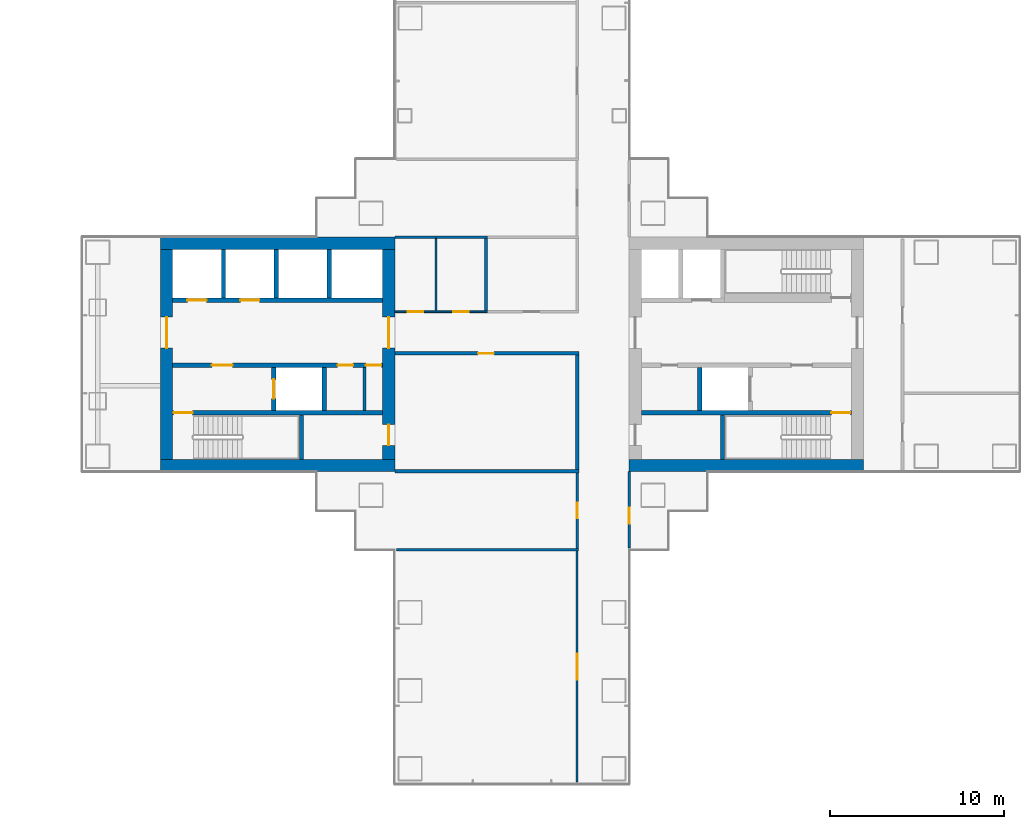
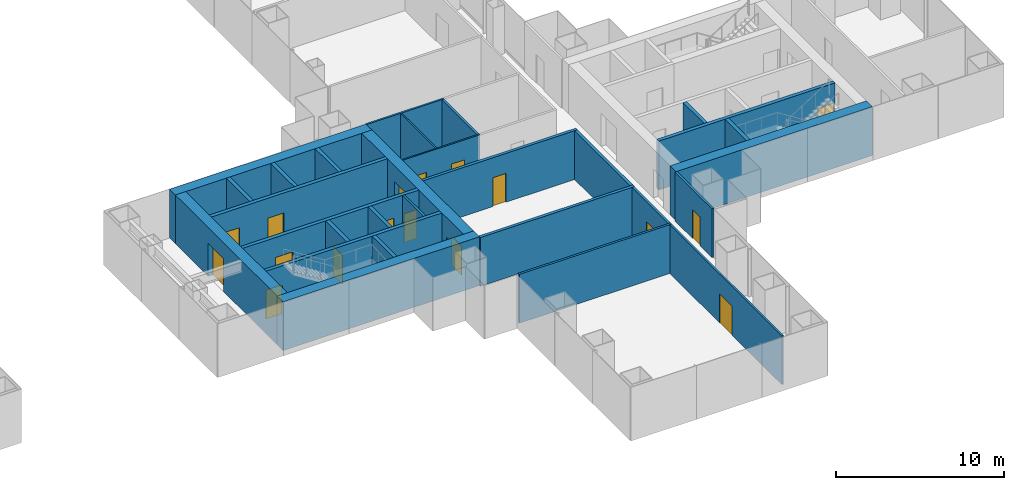
# One storey, part 16 of 21: 29 walls, 17 doors, 17 openings.
"""IFC4 building model written with IfcOpenShell, lengths in metres."""

from ifc_helpers import new_model, si_unit, direction, frame, frame_2d, origin, place, context, subcontext, project, spatial, rectangle, extrude, material, layer, layer_set, type_object, element, fill, save


model = new_model("IFC4")

# Units and contexts
model_context = context("Model", 3, precision=1e-05, world=origin(), true_north=direction((0.0, 1.0)))
body_context = subcontext(model_context, "Body", "Model", "MODEL_VIEW")
ifc_project = project(units=[si_unit("LENGTHUNIT", "METRE"), si_unit("AREAUNIT", "SQUARE_METRE"), si_unit("VOLUMEUNIT", "CUBIC_METRE"), si_unit("PLANEANGLEUNIT", "RADIAN"), si_unit("MASSUNIT", "GRAM", prefix="KILO")], contexts=[model_context])

# Site, building, storey
site_placement = place(None, origin())
site = spatial("IfcSite", under=ifc_project, at=site_placement, CompositionType="ELEMENT")
building_placement = place(site_placement, origin())
building = spatial("IfcBuilding", under=site, at=building_placement, Name="Shamsa Quay Exchange Towers", CompositionType="ELEMENT")
storey_placement = place(building_placement, frame((0.0, 0.0, 65.39990234375)))
storey = spatial("IfcBuildingStorey", under=building, at=storey_placement, Name="L14", CompositionType="ELEMENT", Elevation=65.39990234375)

# Walls
ifc_material_1 = material(Name="Concrete C80/95", Category="concrete")
ifc_layer_1 = layer(ifc_material_1, 0.699951171875)
ifc_layer_set_1 = layer_set([ifc_layer_1], Name="CORE WALL 700 C80/95")
wall_type_1 = type_object("IfcWallType", Name="CORE WALL 700 C80/95", PredefinedType="SHEAR", material=ifc_layer_set_1)
for number, where, name in (
    (1, (13.5, -6.39990234375, 0.0), "Core wall T2A-R06-PS"),
    (2, (13.5, 6.39990234375, 0.0), "Core wall T2A-R06-PN"),
):
    element("IfcWall", number, at=place(storey_placement, frame(where)), inside=storey, type_object=wall_type_1, Name=name, PredefinedType="SHEAR", context=body_context, shape_type="SweptSolid", body=[
        extrude(rectangle(XDim=13.5, YDim=0.699951171875, at=frame_2d((6.75, 0.0))), origin(), (0.0, 0.0, 1.0), 3.550048828125),
    ])

# Wall, opening, door
wall_1_placement = place(storey_placement, frame((13.85009765625, 6.050048828125, 0.0), z_axis=(0.0, 0.0, 1.0), x_axis=(0.0, -1.0, 0.0)))
wall_1 = element("IfcWall", 3, at=wall_1_placement, inside=storey, type_object=wall_type_1, Name="Core wall T2A-R06-PF", PredefinedType="SHEAR", context=body_context, shape_type="SweptSolid", body=[
    extrude(rectangle(XDim=12.10009765625, YDim=0.699951171875, at=frame_2d((6.050048828125, 0.0))), origin(), (0.0, 0.0, 1.0), 3.550048828125),
])
opening_1_placement = place(wall_1_placement, frame((3.89990234375, 0.0, 0.0)))
opening_1 = element("IfcOpeningElement", 4, at=opening_1_placement, cuts=wall_1, Name="Opening T2A-R06-LBD01", PredefinedType="OPENING", context=body_context, shape_type="SweptSolid", body=[
    extrude(rectangle(XDim=1.800048828125, YDim=2.39990234375, at=frame_2d((0.89990234375, 1.199951171875))), frame((0.0, 0.35986328125, 0.0), z_axis=(0.0, -1.0, 0.0), x_axis=(1.0, 0.0, 0.0)), (0.0, 0.0, 1.0), 0.719970703125),
])
ifc_material_2 = material(Name="Steel, fire rated", Category="steel")
door_type_1 = type_object("IfcDoorType", Name="LIFT LOBBY DOOR PAIR 1800", OperationType="DOUBLE_DOOR_SINGLE_SWING", PredefinedType="DOOR", material=ifc_material_2)
door_1_placement = place(opening_1_placement, origin())
door_1 = element("IfcDoor", 5, at=door_1_placement, inside=storey, type_object=door_type_1, Name="T2A-R06-LBD01", OperationType="DOUBLE_DOOR_SINGLE_SWING", OverallHeight=2.39990234375, OverallWidth=1.800048828125, PredefinedType="DOOR", context=body_context, shape_type="SweptSolid", body=[
    extrude(rectangle(XDim=1.800048828125, YDim=2.39990234375, at=frame_2d((0.89990234375, 1.199951171875))), frame((0.0, 0.02490234375, 0.0), z_axis=(0.0, -1.0, 0.0), x_axis=(1.0, 0.0, 0.0)), (0.0, 0.0, 1.0), 0.050048828125),
])
fill(opening_1, door_1)

# Wall, openings, doors
wall_2_placement = place(storey_placement, frame((26.64990234375, 6.050048828125, 0.0), z_axis=(0.0, 0.0, 1.0), x_axis=(0.0, -1.0, 0.0)))
wall_2 = element("IfcWall", 6, at=wall_2_placement, inside=storey, type_object=wall_type_1, Name="Core wall T2A-R06-PB", PredefinedType="SHEAR", context=body_context, shape_type="SweptSolid", body=[
    extrude(rectangle(XDim=12.10009765625, YDim=0.699951171875, at=frame_2d((6.050048828125, 0.0))), origin(), (0.0, 0.0, 1.0), 3.550048828125),
])
opening_2_placement = place(wall_2_placement, frame((10.10009765625, 0.0, 0.0)))
opening_2 = element("IfcOpeningElement", 7, at=opening_2_placement, cuts=wall_2, Name="Opening T2A-R06-RD02", PredefinedType="OPENING", context=body_context, shape_type="SweptSolid", body=[
    extrude(rectangle(XDim=1.199951171875, YDim=2.10009765625, at=frame_2d((0.60009765625, 1.050048828125))), frame((0.0, 0.35986328125, 0.0), z_axis=(0.0, -1.0, 0.0), x_axis=(1.0, 0.0, 0.0)), (0.0, 0.0, 1.0), 0.719970703125),
])
opening_3_placement = place(wall_2_placement, frame((3.89990234375, 0.0, 0.0)))
opening_3 = element("IfcOpeningElement", 8, at=opening_3_placement, cuts=wall_2, Name="Opening T2A-R06-LBD03", PredefinedType="OPENING", context=body_context, shape_type="SweptSolid", body=[
    extrude(rectangle(XDim=1.800048828125, YDim=2.39990234375, at=frame_2d((0.89990234375, 1.199951171875))), frame((0.0, 0.35986328125, 0.0), z_axis=(0.0, -1.0, 0.0), x_axis=(1.0, 0.0, 0.0)), (0.0, 0.0, 1.0), 0.719970703125),
])
door_2_placement = place(opening_3_placement, origin())
door_2 = element("IfcDoor", 9, at=door_2_placement, inside=storey, type_object=door_type_1, Name="T2A-R06-LBD03", OperationType="DOUBLE_DOOR_SINGLE_SWING", OverallHeight=2.39990234375, OverallWidth=1.800048828125, PredefinedType="DOOR", context=body_context, shape_type="SweptSolid", body=[
    extrude(rectangle(XDim=1.800048828125, YDim=2.39990234375, at=frame_2d((0.89990234375, 1.199951171875))), frame((0.0, 0.02490234375, 0.0), z_axis=(0.0, -1.0, 0.0), x_axis=(1.0, 0.0, 0.0)), (0.0, 0.0, 1.0), 0.050048828125),
])
fill(opening_3, door_2)
door_type_2 = type_object("IfcDoorType", Name="RISER ACCESS DOOR 1200", OperationType="SINGLE_SWING_LEFT", PredefinedType="DOOR", material=ifc_material_2)
door_3_placement = place(opening_2_placement, origin())
door_3 = element("IfcDoor", 10, at=door_3_placement, inside=storey, type_object=door_type_2, Name="T2A-R06-RD02", OperationType="SINGLE_SWING_RIGHT", OverallHeight=2.10009765625, OverallWidth=1.199951171875, PredefinedType="DOOR", context=body_context, shape_type="SweptSolid", body=[
    extrude(rectangle(XDim=1.199951171875, YDim=2.10009765625, at=frame_2d((0.60009765625, 1.050048828125))), frame((0.0, 0.02490234375, 0.0), z_axis=(0.0, -1.0, 0.0), x_axis=(1.0, 0.0, 0.0)), (0.0, 0.0, 1.0), 0.050048828125),
])
fill(opening_2, door_3)

# Walls
wall_3_placement = place(storey_placement, frame((54.0, -6.39990234375, 0.0), z_axis=(0.0, 0.0, 1.0), x_axis=(-1.0, 0.0, 0.0)))
element("IfcWall", 11, at=wall_3_placement, inside=storey, type_object=wall_type_1, Name="Core wall T2B-R06-PS", PredefinedType="SHEAR", context=body_context, shape_type="SweptSolid", body=[
    extrude(rectangle(XDim=13.5, YDim=0.699951171875, at=frame_2d((6.75, 0.0))), origin(), (0.0, 0.0, 1.0), 3.550048828125),
])
ifc_material_3 = material(Name="Gypsum board on steel studs, EI 60", Category="steel")
ifc_layer_2 = layer(ifc_material_3, 0.14990234375)
ifc_layer_set_2 = layer_set([ifc_layer_2], Name="FIRE PARTITION 150")
wall_type_2 = type_object("IfcWallType", Name="FIRE PARTITION 150", PredefinedType="PARTITIONING", material=ifc_layer_set_2)
wall_4_placement = place(storey_placement, frame((25.25, -3.25, 0.0), z_axis=(0.0, 0.0, 1.0), x_axis=(0.0, 1.0, 0.0)))
element("IfcWall", 12, at=wall_4_placement, inside=storey, type_object=wall_type_2, Name="Partition T2A-R06-EC0", PredefinedType="PARTITIONING", context=body_context, shape_type="SweptSolid", body=[
    extrude(rectangle(XDim=2.5, YDim=0.14990234375, at=frame_2d((1.25, 0.0))), origin(), (0.0, 0.0, 1.0), 3.550048828125),
])

# Wall, opening, door
ifc_material_4 = material(Name="Laminated fire-resisting glass in a metal frame", Category="glass")
ifc_layer_3 = layer(ifc_material_4, 0.125)
ifc_layer_set_3 = layer_set([ifc_layer_3], Name="Glazed partition 125 mm EI 60")
wall_type_3 = type_object("IfcWallType", Name="Glazed partition 125 mm EI 60", PredefinedType="PARTITIONING", material=ifc_layer_set_3)
wall_5_placement = place(storey_placement, frame((37.5, -24.655029296875, 0.0), z_axis=(0.0, 0.0, 1.0), x_axis=(0.0, 1.0, 0.0)))
wall_5 = element("IfcWall", 13, at=wall_5_placement, inside=storey, type_object=wall_type_3, Name="Partition T2-R06-W02", PredefinedType="PARTITIONING", context=body_context, shape_type="SweptSolid", body=[
    extrude(rectangle(XDim=13.330078125, YDim=0.125, at=frame_2d((6.6650390625, 0.0))), origin(), (0.0, 0.0, 1.0), 3.550048828125),
])
opening_4_placement = place(wall_5_placement, frame((5.905029296875, 0.0, 0.0)))
opening_4 = element("IfcOpeningElement", 14, at=opening_4_placement, cuts=wall_5, Name="Opening T2-R06-D05", PredefinedType="OPENING", context=body_context, shape_type="SweptSolid", body=[
    extrude(rectangle(XDim=1.5, YDim=2.10009765625, at=frame_2d((0.75, 1.050048828125))), frame((0.0, 0.072509765625, 0.0), z_axis=(0.0, -1.0, 0.0), x_axis=(1.0, 0.0, 0.0)), (0.0, 0.0, 1.0), 0.14501953125),
])
ifc_material_5 = material(Name="Timber door leaf in a metal frame", Category="wood")
door_type_3 = type_object("IfcDoorType", Name="Door 1500x2100 FD30S pair", OperationType="NOTDEFINED", PredefinedType="DOOR", material=ifc_material_5)
door_4_placement = place(opening_4_placement, origin())
door_4 = element("IfcDoor", 15, at=door_4_placement, inside=storey, type_object=door_type_3, Name="Door T2-R06-D05", OperationType="DOUBLE_DOOR_SINGLE_SWING", OverallHeight=2.10009765625, OverallWidth=1.5, PredefinedType="DOOR", context=body_context, shape_type="SweptSolid", body=[
    extrude(rectangle(XDim=1.5, YDim=2.10009765625, at=frame_2d((0.75, 1.050048828125))), frame((0.0, 0.02490234375, 0.0), z_axis=(0.0, -1.0, 0.0), x_axis=(1.0, 0.0, 0.0)), (0.0, 0.0, 1.0), 0.050048828125),
])
fill(opening_4, door_4)

# Wall
wall_6_placement = place(storey_placement, frame((27.0, 6.75, 0.0)))
element("IfcWall", 16, at=wall_6_placement, inside=storey, type_object=wall_type_3, Name="Partition T2-R06-W15", PredefinedType="PARTITIONING", context=body_context, shape_type="SweptSolid", body=[
    extrude(rectangle(XDim=5.324951171875, YDim=0.125, at=frame_2d((2.66259765625, 0.0))), origin(), (0.0, 0.0, 1.0), 3.550048828125),
])

# Wall, openings, doors
ifc_material_6 = material(Name="Gypsum board partition on metal studs")
ifc_layer_4 = layer(ifc_material_6, 0.10009765625)
ifc_layer_set_4 = layer_set([ifc_layer_4], Name="Partition 100 mm NOT RATED")
wall_type_4 = type_object("IfcWallType", Name="Partition 100 mm NOT RATED", PredefinedType="PARTITIONING", material=ifc_layer_set_4)
wall_7_placement = place(storey_placement, frame((27.0, 2.4501953125, 0.0)))
wall_7 = element("IfcWall", 17, at=wall_7_placement, inside=storey, type_object=wall_type_4, Name="Partition T2-R06-W07", PredefinedType="PARTITIONING", context=body_context, shape_type="SweptSolid", body=[
    extrude(rectangle(XDim=5.324951171875, YDim=0.10009765625, at=frame_2d((2.66259765625, 0.0))), origin(), (0.0, 0.0, 1.0), 3.550048828125),
])
opening_5_placement = place(wall_7_placement, frame((3.362548828125, 0.0, 0.0)))
opening_5 = element("IfcOpeningElement", 18, at=opening_5_placement, cuts=wall_7, Name="Opening T2-R06-D11", PredefinedType="OPENING", context=body_context, shape_type="SweptSolid", body=[
    extrude(rectangle(XDim=0.89990234375, YDim=2.10009765625, at=frame_2d((0.449951171875, 1.050048828125))), frame((0.0, 0.06005859375, 0.0), z_axis=(0.0, -1.0, 0.0), x_axis=(1.0, 0.0, 0.0)), (0.0, 0.0, 1.0), 0.1201171875),
])
opening_6_placement = place(wall_7_placement, frame((0.737548828125, 0.0, 0.0)))
opening_6 = element("IfcOpeningElement", 19, at=opening_6_placement, cuts=wall_7, Name="Opening T2-R06-D12", PredefinedType="OPENING", context=body_context, shape_type="SweptSolid", body=[
    extrude(rectangle(XDim=0.89990234375, YDim=2.10009765625, at=frame_2d((0.449951171875, 1.050048828125))), frame((0.0, 0.06005859375, 0.0), z_axis=(0.0, -1.0, 0.0), x_axis=(1.0, 0.0, 0.0)), (0.0, 0.0, 1.0), 0.1201171875),
])
door_type_4 = type_object("IfcDoorType", Name="Door 900x2100 NOT RATED", OperationType="NOTDEFINED", PredefinedType="DOOR", material=ifc_material_5)
door_5_placement = place(opening_5_placement, origin())
door_5 = element("IfcDoor", 20, at=door_5_placement, inside=storey, type_object=door_type_4, Name="Door T2-R06-D11", OperationType="SINGLE_SWING_RIGHT", OverallHeight=2.10009765625, OverallWidth=0.89990234375, PredefinedType="DOOR", context=body_context, shape_type="SweptSolid", body=[
    extrude(rectangle(XDim=0.89990234375, YDim=2.10009765625, at=frame_2d((0.449951171875, 1.050048828125))), frame((0.0, 0.02490234375, 0.0), z_axis=(0.0, -1.0, 0.0), x_axis=(1.0, 0.0, 0.0)), (0.0, 0.0, 1.0), 0.050048828125),
])
fill(opening_5, door_5)
door_6_placement = place(opening_6_placement, origin())
door_6 = element("IfcDoor", 21, at=door_6_placement, inside=storey, type_object=door_type_4, Name="Door T2-R06-D12", OperationType="SINGLE_SWING_LEFT", OverallHeight=2.10009765625, OverallWidth=0.89990234375, PredefinedType="DOOR", context=body_context, shape_type="SweptSolid", body=[
    extrude(rectangle(XDim=0.89990234375, YDim=2.10009765625, at=frame_2d((0.449951171875, 1.050048828125))), frame((0.0, 0.02490234375, 0.0), z_axis=(0.0, -1.0, 0.0), x_axis=(1.0, 0.0, 0.0)), (0.0, 0.0, 1.0), 0.050048828125),
])
fill(opening_6, door_6)

# Wall
wall_8_placement = place(storey_placement, frame((29.375, 6.6875, 0.0), z_axis=(0.0, 0.0, 1.0), x_axis=(0.0, -1.0, 0.0)))
element("IfcWall", 22, at=wall_8_placement, inside=storey, type_object=wall_type_4, Name="Partition T2-R06-W18", PredefinedType="PARTITIONING", context=body_context, shape_type="SweptSolid", body=[
    extrude(rectangle(XDim=4.187255859375, YDim=0.10009765625, at=frame_2d((2.09375, 0.0))), origin(), (0.0, 0.0, 1.0), 3.550048828125),
])

# Wall, opening, door
ifc_layer_5 = layer(ifc_material_6, 0.14990234375)
ifc_layer_set_5 = layer_set([ifc_layer_5], Name="Partition 150 mm EI 60")
wall_type_5 = type_object("IfcWallType", Name="Partition 150 mm EI 60", PredefinedType="PARTITIONING", material=ifc_layer_set_5)
wall_9_placement = place(storey_placement, frame((37.5, -11.175048828125, 0.0), z_axis=(0.0, 0.0, 1.0), x_axis=(0.0, 1.0, 0.0)))
wall_9 = element("IfcWall", 23, at=wall_9_placement, inside=storey, type_object=wall_type_5, Name="Partition T2-R06-W05", PredefinedType="PARTITIONING", context=body_context, shape_type="SweptSolid", body=[
    extrude(rectangle(XDim=4.324951171875, YDim=0.14990234375, at=frame_2d((2.16259765625, 0.0))), origin(), (0.0, 0.0, 1.0), 3.550048828125),
])
opening_7_placement = place(wall_9_placement, frame((1.72509765625, 0.0, 0.0)))
opening_7 = element("IfcOpeningElement", 24, at=opening_7_placement, cuts=wall_9, Name="Opening T2-R06-D06", PredefinedType="OPENING", context=body_context, shape_type="SweptSolid", body=[
    extrude(rectangle(XDim=0.89990234375, YDim=2.10009765625, at=frame_2d((0.449951171875, 1.050048828125))), frame((0.0, 0.0849609375, 0.0), z_axis=(0.0, -1.0, 0.0), x_axis=(1.0, 0.0, 0.0)), (0.0, 0.0, 1.0), 0.169921875),
])
door_type_5 = type_object("IfcDoorType", Name="Door 900x2100 FD30S", OperationType="NOTDEFINED", PredefinedType="DOOR", material=ifc_material_5)
door_7_placement = place(opening_7_placement, origin())
door_7 = element("IfcDoor", 25, at=door_7_placement, inside=storey, type_object=door_type_5, Name="Door T2-R06-D06", OperationType="SINGLE_SWING_LEFT", OverallHeight=2.10009765625, OverallWidth=0.89990234375, PredefinedType="DOOR", context=body_context, shape_type="SweptSolid", body=[
    extrude(rectangle(XDim=0.89990234375, YDim=2.10009765625, at=frame_2d((0.449951171875, 1.050048828125))), frame((0.0, 0.02490234375, 0.0), z_axis=(0.0, -1.0, 0.0), x_axis=(1.0, 0.0, 0.0)), (0.0, 0.0, 1.0), 0.050048828125),
])
fill(opening_7, door_7)

wall_10_placement = place(storey_placement, frame((40.5, -6.75, 0.0), z_axis=(0.0, 0.0, 1.0), x_axis=(0.0, -1.0, 0.0)))
wall_10 = element("IfcWall", 26, at=wall_10_placement, inside=storey, type_object=wall_type_5, Name="Partition T2-R06-W10", PredefinedType="PARTITIONING", context=body_context, shape_type="SweptSolid", body=[
    extrude(rectangle(XDim=4.405029296875, YDim=0.14990234375, at=frame_2d((2.20263671875, 0.0))), origin(), (0.0, 0.0, 1.0), 3.550048828125),
])
opening_8_placement = place(wall_10_placement, frame((2.10009765625, 0.0, 0.0)))
opening_8 = element("IfcOpeningElement", 27, at=opening_8_placement, cuts=wall_10, Name="Opening T2-R06-D03", PredefinedType="OPENING", context=body_context, shape_type="SweptSolid", body=[
    extrude(rectangle(XDim=0.89990234375, YDim=2.10009765625, at=frame_2d((0.449951171875, 1.050048828125))), frame((0.0, 0.0849609375, 0.0), z_axis=(0.0, -1.0, 0.0), x_axis=(1.0, 0.0, 0.0)), (0.0, 0.0, 1.0), 0.169921875),
])
door_8_placement = place(opening_8_placement, origin())
door_8 = element("IfcDoor", 28, at=door_8_placement, inside=storey, type_object=door_type_5, Name="Door T2-R06-D03", OperationType="SINGLE_SWING_RIGHT", OverallHeight=2.10009765625, OverallWidth=0.89990234375, PredefinedType="DOOR", context=body_context, shape_type="SweptSolid", body=[
    extrude(rectangle(XDim=0.89990234375, YDim=2.10009765625, at=frame_2d((0.449951171875, 1.050048828125))), frame((0.0, 0.02490234375, 0.0), z_axis=(0.0, -1.0, 0.0), x_axis=(1.0, 0.0, 0.0)), (0.0, 0.0, 1.0), 0.050048828125),
])
fill(opening_8, door_8)

# Walls
wall_11_placement = place(storey_placement, frame((32.25, 6.675048828125, 0.0), z_axis=(0.0, 0.0, 1.0), x_axis=(0.0, -1.0, 0.0)))
element("IfcWall", 29, at=wall_11_placement, inside=storey, type_object=wall_type_5, Name="Partition T2-R06-W17", PredefinedType="PARTITIONING", context=body_context, shape_type="SweptSolid", body=[
    extrude(rectangle(XDim=4.14990234375, YDim=0.14990234375, at=frame_2d((2.074951171875, 0.0))), origin(), (0.0, 0.0, 1.0), 3.550048828125),
])
wall_12_placement = place(storey_placement, frame((27.094970703125, -11.25, 0.0)))
element("IfcWall", 30, at=wall_12_placement, inside=storey, type_object=wall_type_5, Name="Partition T2-R06-W19", PredefinedType="PARTITIONING", context=body_context, shape_type="SweptSolid", body=[
    extrude(rectangle(XDim=10.47998046875, YDim=0.14990234375, at=frame_2d((5.239990234375, 0.0))), origin(), (0.0, 0.0, 1.0), 3.550048828125),
])

# Wall, opening, door
ifc_layer_6 = layer(ifc_material_6, 0.199951171875)
ifc_layer_set_6 = layer_set([ifc_layer_6], Name="Partition 200 mm EI 120")
wall_type_6 = type_object("IfcWallType", Name="Partition 200 mm EI 120", PredefinedType="PARTITIONING", material=ifc_layer_set_6)
wall_13_placement = place(storey_placement, frame((37.60009765625, 0.0498046875, 0.0), z_axis=(0.0, 0.0, 1.0), x_axis=(-1.0, 0.0, 0.0)))
wall_13 = element("IfcWall", 31, at=wall_13_placement, inside=storey, type_object=wall_type_6, Name="Partition T2-R06-W08", PredefinedType="PARTITIONING", context=body_context, shape_type="SweptSolid", body=[
    extrude(rectangle(XDim=10.60009765625, YDim=0.199951171875, at=frame_2d((5.300048828125, 0.0))), origin(), (0.0, 0.0, 1.0), 3.550048828125),
])
opening_9_placement = place(wall_13_placement, frame((4.89990234375, 0.0, 0.0)))
opening_9 = element("IfcOpeningElement", 32, at=opening_9_placement, cuts=wall_13, Name="Opening T2-R06-D13", PredefinedType="OPENING", context=body_context, shape_type="SweptSolid", body=[
    extrude(rectangle(XDim=0.89990234375, YDim=2.10009765625, at=frame_2d((0.449951171875, 1.050048828125))), frame((0.0, 0.10986328125, 0.0), z_axis=(0.0, -1.0, 0.0), x_axis=(1.0, 0.0, 0.0)), (0.0, 0.0, 1.0), 0.219970703125),
])
door_type_6 = type_object("IfcDoorType", Name="Door 900x2100 FD60", OperationType="NOTDEFINED", PredefinedType="DOOR", material=ifc_material_5)
door_9_placement = place(opening_9_placement, origin())
door_9 = element("IfcDoor", 33, at=door_9_placement, inside=storey, type_object=door_type_6, Name="Door T2-R06-D13", OperationType="SINGLE_SWING_RIGHT", OverallHeight=2.10009765625, OverallWidth=0.89990234375, PredefinedType="DOOR", context=body_context, shape_type="SweptSolid", body=[
    extrude(rectangle(XDim=0.89990234375, YDim=2.10009765625, at=frame_2d((0.449951171875, 1.050048828125))), frame((0.0, 0.02490234375, 0.0), z_axis=(0.0, -1.0, 0.0), x_axis=(1.0, 0.0, 0.0)), (0.0, 0.0, 1.0), 0.050048828125),
])
fill(opening_9, door_9)

# Walls
wall_14_placement = place(storey_placement, frame((37.5, -6.64990234375, 0.0), z_axis=(0.0, 0.0, 1.0), x_axis=(0.0, 1.0, 0.0)))
element("IfcWall", 34, at=wall_14_placement, inside=storey, type_object=wall_type_6, Name="Partition T2-R06-W09", PredefinedType="PARTITIONING", context=body_context, shape_type="SweptSolid", body=[
    extrude(rectangle(XDim=6.599609375, YDim=0.199951171875, at=frame_2d((3.2998046875, 0.0))), origin(), (0.0, 0.0, 1.0), 3.550048828125),
])
wall_15_placement = place(storey_placement, frame((37.60009765625, -6.75, 0.0), z_axis=(0.0, 0.0, 1.0), x_axis=(-1.0, 0.0, 0.0)))
element("IfcWall", 35, at=wall_15_placement, inside=storey, type_object=wall_type_6, Name="Partition T2-R06-W20", PredefinedType="PARTITIONING", context=body_context, shape_type="SweptSolid", body=[
    extrude(rectangle(XDim=10.60009765625, YDim=0.199951171875, at=frame_2d((5.300048828125, 0.0))), origin(), (0.0, 0.0, 1.0), 3.550048828125),
])

# Wall, opening, door
ifc_material_7 = material(Name="Concrete C50/60", Category="concrete")
ifc_layer_7 = layer(ifc_material_7, 0.25)
ifc_layer_set_7 = layer_set([ifc_layer_7], Name="SHAFT WALL 250 C50/60")
wall_type_7 = type_object("IfcWallType", Name="SHAFT WALL 250 C50/60", PredefinedType="SHEAR", material=ifc_layer_set_7)
wall_16_placement = place(storey_placement, frame((26.300048828125, -3.375, 0.0), z_axis=(0.0, 0.0, 1.0), x_axis=(-1.0, 0.0, 0.0)))
wall_16 = element("IfcWall", 36, at=wall_16_placement, inside=storey, type_object=wall_type_7, Name="Shaft wall T2A-R06-STL", PredefinedType="SHEAR", context=body_context, shape_type="SweptSolid", body=[
    extrude(rectangle(XDim=12.10009765625, YDim=0.25, at=frame_2d((6.050048828125, 0.0))), origin(), (0.0, 0.0, 1.0), 3.550048828125),
])
opening_10_placement = place(wall_16_placement, frame((10.949951171875, 0.0, 0.0)))
opening_10 = element("IfcOpeningElement", 37, at=opening_10_placement, cuts=wall_16, Name="Opening T2A-R06-SD04", PredefinedType="OPENING", context=body_context, shape_type="SweptSolid", body=[
    extrude(rectangle(XDim=1.10009765625, YDim=2.10009765625, at=frame_2d((0.550048828125, 1.050048828125))), frame((0.0, 0.135009765625, 0.0), z_axis=(0.0, -1.0, 0.0), x_axis=(1.0, 0.0, 0.0)), (0.0, 0.0, 1.0), 0.27001953125),
])
door_type_7 = type_object("IfcDoorType", Name="STAIR DOOR 1100", OperationType="SINGLE_SWING_LEFT", PredefinedType="DOOR", material=ifc_material_2)
door_10_placement = place(opening_10_placement, origin())
door_10 = element("IfcDoor", 38, at=door_10_placement, inside=storey, type_object=door_type_7, Name="T2A-R06-SD04", OperationType="SINGLE_SWING_RIGHT", OverallHeight=2.10009765625, OverallWidth=1.10009765625, PredefinedType="DOOR", context=body_context, shape_type="SweptSolid", body=[
    extrude(rectangle(XDim=1.10009765625, YDim=2.10009765625, at=frame_2d((0.550048828125, 1.050048828125))), frame((0.0, 0.02490234375, 0.0), z_axis=(0.0, -1.0, 0.0), x_axis=(1.0, 0.0, 0.0)), (0.0, 0.0, 1.0), 0.050048828125),
])
fill(opening_10, door_10)

# Wall
wall_17_placement = place(storey_placement, frame((21.625, -6.050048828125, 0.0), z_axis=(0.0, 0.0, 1.0), x_axis=(0.0, 1.0, 0.0)))
element("IfcWall", 39, at=wall_17_placement, inside=storey, type_object=wall_type_7, Name="Shaft wall T2A-R06-STF", PredefinedType="SHEAR", context=body_context, shape_type="SweptSolid", body=[
    extrude(rectangle(XDim=2.550048828125, YDim=0.25, at=frame_2d((1.27490234375, 0.0))), origin(), (0.0, 0.0, 1.0), 3.550048828125),
])

# Wall, openings, doors
wall_18_placement = place(storey_placement, frame((26.300048828125, -0.625, 0.0), z_axis=(0.0, 0.0, 1.0), x_axis=(-1.0, 0.0, 0.0)))
wall_18 = element("IfcWall", 40, at=wall_18_placement, inside=storey, type_object=wall_type_7, Name="Shaft wall T2A-R06-B", PredefinedType="SHEAR", context=body_context, shape_type="SweptSolid", body=[
    extrude(rectangle(XDim=12.10009765625, YDim=0.25, at=frame_2d((6.050048828125, 0.0))), origin(), (0.0, 0.0, 1.0), 3.550048828125),
])
opening_11_placement = place(wall_18_placement, frame((8.64990234375, 0.0, 0.0)))
opening_11 = element("IfcOpeningElement", 41, at=opening_11_placement, cuts=wall_18, Name="Opening T2A-R06-FD05", PredefinedType="OPENING", context=body_context, shape_type="SweptSolid", body=[
    extrude(rectangle(XDim=1.199951171875, YDim=2.10009765625, at=frame_2d((0.60009765625, 1.050048828125))), frame((0.0, 0.135009765625, 0.0), z_axis=(0.0, -1.0, 0.0), x_axis=(1.0, 0.0, 0.0)), (0.0, 0.0, 1.0), 0.27001953125),
])
opening_12_placement = place(wall_18_placement, frame((1.699951171875, 0.0, 0.0)))
opening_12 = element("IfcOpeningElement", 42, at=opening_12_placement, cuts=wall_18, Name="Opening T2A-R06-SV06", PredefinedType="OPENING", context=body_context, shape_type="SweptSolid", body=[
    extrude(rectangle(XDim=0.89990234375, YDim=2.10009765625, at=frame_2d((0.449951171875, 1.050048828125))), frame((0.0, 0.135009765625, 0.0), z_axis=(0.0, -1.0, 0.0), x_axis=(1.0, 0.0, 0.0)), (0.0, 0.0, 1.0), 0.27001953125),
])
opening_13_placement = place(wall_18_placement, frame((0.074951171875, 0.0, 0.0)))
opening_13 = element("IfcOpeningElement", 43, at=opening_13_placement, cuts=wall_18, Name="Opening T2A-R06-SV07", PredefinedType="OPENING", context=body_context, shape_type="SweptSolid", body=[
    extrude(rectangle(XDim=0.89990234375, YDim=2.10009765625, at=frame_2d((0.449951171875, 1.050048828125))), frame((0.0, 0.135009765625, 0.0), z_axis=(0.0, -1.0, 0.0), x_axis=(1.0, 0.0, 0.0)), (0.0, 0.0, 1.0), 0.27001953125),
])
door_type_8 = type_object("IfcDoorType", Name="FIRE SERVICE LOBBY DOOR 1200", OperationType="SINGLE_SWING_LEFT", PredefinedType="DOOR", material=ifc_material_2)
door_11_placement = place(opening_11_placement, origin())
door_11 = element("IfcDoor", 44, at=door_11_placement, inside=storey, type_object=door_type_8, Name="T2A-R06-FD05", OperationType="SINGLE_SWING_RIGHT", OverallHeight=2.10009765625, OverallWidth=1.199951171875, PredefinedType="DOOR", context=body_context, shape_type="SweptSolid", body=[
    extrude(rectangle(XDim=1.199951171875, YDim=2.10009765625, at=frame_2d((0.60009765625, 1.050048828125))), frame((0.0, 0.02490234375, 0.0), z_axis=(0.0, -1.0, 0.0), x_axis=(1.0, 0.0, 0.0)), (0.0, 0.0, 1.0), 0.050048828125),
])
fill(opening_11, door_11)
door_type_9 = type_object("IfcDoorType", Name="SERVICE ROOM DOOR 900", OperationType="SINGLE_SWING_LEFT", PredefinedType="DOOR", material=ifc_material_2)
door_12_placement = place(opening_12_placement, origin())
door_12 = element("IfcDoor", 45, at=door_12_placement, inside=storey, type_object=door_type_9, Name="T2A-R06-SV06", OperationType="SINGLE_SWING_LEFT", OverallHeight=2.10009765625, OverallWidth=0.89990234375, PredefinedType="DOOR", context=body_context, shape_type="SweptSolid", body=[
    extrude(rectangle(XDim=0.89990234375, YDim=2.10009765625, at=frame_2d((0.449951171875, 1.050048828125))), frame((0.0, 0.02490234375, 0.0), z_axis=(0.0, -1.0, 0.0), x_axis=(1.0, 0.0, 0.0)), (0.0, 0.0, 1.0), 0.050048828125),
])
fill(opening_12, door_12)
door_13_placement = place(opening_13_placement, origin())
door_13 = element("IfcDoor", 46, at=door_13_placement, inside=storey, type_object=door_type_9, Name="T2A-R06-SV07", OperationType="SINGLE_SWING_LEFT", OverallHeight=2.10009765625, OverallWidth=0.89990234375, PredefinedType="DOOR", context=body_context, shape_type="SweptSolid", body=[
    extrude(rectangle(XDim=0.89990234375, YDim=2.10009765625, at=frame_2d((0.449951171875, 1.050048828125))), frame((0.0, 0.02490234375, 0.0), z_axis=(0.0, -1.0, 0.0), x_axis=(1.0, 0.0, 0.0)), (0.0, 0.0, 1.0), 0.050048828125),
])
fill(opening_13, door_13)

# Wall, opening, door
wall_19_placement = place(storey_placement, frame((20.02490234375, -3.25, 0.0), z_axis=(0.0, 0.0, 1.0), x_axis=(0.0, 1.0, 0.0)))
wall_19 = element("IfcWall", 47, at=wall_19_placement, inside=storey, type_object=wall_type_7, Name="Shaft wall T2A-R06-FFF", PredefinedType="SHEAR", context=body_context, shape_type="SweptSolid", body=[
    extrude(rectangle(XDim=2.5, YDim=0.25, at=frame_2d((1.25, 0.0))), origin(), (0.0, 0.0, 1.0), 3.550048828125),
])
opening_14_placement = place(wall_19_placement, frame((0.699951171875, 0.0, 0.0)))
opening_14 = element("IfcOpeningElement", 48, at=opening_14_placement, cuts=wall_19, Name="Opening T2A-R06-LDF08", PredefinedType="OPENING", context=body_context, shape_type="SweptSolid", body=[
    extrude(rectangle(XDim=1.10009765625, YDim=2.10009765625, at=frame_2d((0.550048828125, 1.050048828125))), frame((0.0, 0.135009765625, 0.0), z_axis=(0.0, -1.0, 0.0), x_axis=(1.0, 0.0, 0.0)), (0.0, 0.0, 1.0), 0.27001953125),
])
door_type_10 = type_object("IfcDoorType", Name="FIRE SERVICE LANDING DOOR 1100", OperationType="SLIDING_TO_LEFT", PredefinedType="DOOR", material=ifc_material_2)
door_14_placement = place(opening_14_placement, origin())
door_14 = element("IfcDoor", 49, at=door_14_placement, inside=storey, type_object=door_type_10, Name="T2A-R06-LDF08", OperationType="SLIDING_TO_LEFT", OverallHeight=2.10009765625, OverallWidth=1.10009765625, PredefinedType="DOOR", context=body_context, shape_type="SweptSolid", body=[
    extrude(rectangle(XDim=1.10009765625, YDim=2.10009765625, at=frame_2d((0.550048828125, 1.050048828125))), frame((0.0, 0.02490234375, 0.0), z_axis=(0.0, -1.0, 0.0), x_axis=(1.0, 0.0, 0.0)), (0.0, 0.0, 1.0), 0.050048828125),
])
fill(opening_14, door_14)

# Wall
wall_20_placement = place(storey_placement, frame((22.925048828125, -3.25, 0.0), z_axis=(0.0, 0.0, 1.0), x_axis=(0.0, 1.0, 0.0)))
element("IfcWall", 50, at=wall_20_placement, inside=storey, type_object=wall_type_7, Name="Shaft wall T2A-R06-FFB", PredefinedType="SHEAR", context=body_context, shape_type="SweptSolid", body=[
    extrude(rectangle(XDim=2.5, YDim=0.25, at=frame_2d((1.25, 0.0))), origin(), (0.0, 0.0, 1.0), 3.550048828125),
])

# Wall, openings, doors
wall_21_placement = place(storey_placement, frame((14.199951171875, 3.125, 0.0)))
wall_21 = element("IfcWall", 51, at=wall_21_placement, inside=storey, type_object=wall_type_7, Name="Shaft wall T2A-R06-N", PredefinedType="SHEAR", context=body_context, shape_type="SweptSolid", body=[
    extrude(rectangle(XDim=12.10009765625, YDim=0.25, at=frame_2d((6.050048828125, 0.0))), origin(), (0.0, 0.0, 1.0), 3.550048828125),
])
opening_15_placement = place(wall_21_placement, frame((0.85009765625, 0.0, 0.0)))
opening_15 = element("IfcOpeningElement", 52, at=opening_15_placement, cuts=wall_21, Name="Opening T2A-R06-LD09", PredefinedType="OPENING", context=body_context, shape_type="SweptSolid", body=[
    extrude(rectangle(XDim=1.10009765625, YDim=2.10009765625, at=frame_2d((0.550048828125, 1.050048828125))), frame((0.0, 0.135009765625, 0.0), z_axis=(0.0, -1.0, 0.0), x_axis=(1.0, 0.0, 0.0)), (0.0, 0.0, 1.0), 0.27001953125),
])
opening_16_placement = place(wall_21_placement, frame((3.89990234375, 0.0, 0.0)))
opening_16 = element("IfcOpeningElement", 53, at=opening_16_placement, cuts=wall_21, Name="Opening T2A-R06-LD10", PredefinedType="OPENING", context=body_context, shape_type="SweptSolid", body=[
    extrude(rectangle(XDim=1.10009765625, YDim=2.10009765625, at=frame_2d((0.550048828125, 1.050048828125))), frame((0.0, 0.135009765625, 0.0), z_axis=(0.0, -1.0, 0.0), x_axis=(1.0, 0.0, 0.0)), (0.0, 0.0, 1.0), 0.27001953125),
])
door_type_11 = type_object("IfcDoorType", Name="LANDING DOOR 1100", OperationType="SLIDING_TO_LEFT", PredefinedType="DOOR", material=ifc_material_2)
door_15_placement = place(opening_15_placement, origin())
door_15 = element("IfcDoor", 54, at=door_15_placement, inside=storey, type_object=door_type_11, Name="T2A-R06-LD09", OperationType="SLIDING_TO_LEFT", OverallHeight=2.10009765625, OverallWidth=1.10009765625, PredefinedType="DOOR", context=body_context, shape_type="SweptSolid", body=[
    extrude(rectangle(XDim=1.10009765625, YDim=2.10009765625, at=frame_2d((0.550048828125, 1.050048828125))), frame((0.0, 0.02490234375, 0.0), z_axis=(0.0, -1.0, 0.0), x_axis=(1.0, 0.0, 0.0)), (0.0, 0.0, 1.0), 0.050048828125),
])
fill(opening_15, door_15)
door_16_placement = place(opening_16_placement, origin())
door_16 = element("IfcDoor", 55, at=door_16_placement, inside=storey, type_object=door_type_11, Name="T2A-R06-LD10", OperationType="SLIDING_TO_LEFT", OverallHeight=2.10009765625, OverallWidth=1.10009765625, PredefinedType="DOOR", context=body_context, shape_type="SweptSolid", body=[
    extrude(rectangle(XDim=1.10009765625, YDim=2.10009765625, at=frame_2d((0.550048828125, 1.050048828125))), frame((0.0, 0.02490234375, 0.0), z_axis=(0.0, -1.0, 0.0), x_axis=(1.0, 0.0, 0.0)), (0.0, 0.0, 1.0), 0.050048828125),
])
fill(opening_16, door_16)

# Walls
for number, where, z_axis, x_axis, name in (
    (56, (17.125, 3.25, 0.0), (0.0, 0.0, 1.0), (0.0, 1.0, 0.0), "Shaft wall T2A-R06-D0"),
    (57, (20.175048828125, 3.25, 0.0), (0.0, 0.0, 1.0), (0.0, 1.0, 0.0), "Shaft wall T2A-R06-D1"),
    (58, (23.22509765625, 3.25, 0.0), (0.0, 0.0, 1.0), (0.0, 1.0, 0.0), "Shaft wall T2A-R06-D2"),
):
    element("IfcWall", number, at=place(storey_placement, frame(where, z_axis=z_axis, x_axis=x_axis)), inside=storey, type_object=wall_type_7, Name=name, PredefinedType="SHEAR", context=body_context, shape_type="SweptSolid", body=[
        extrude(rectangle(XDim=2.800048828125, YDim=0.25, at=frame_2d((1.39990234375, 0.0))), origin(), (0.0, 0.0, 1.0), 3.550048828125),
    ])

# Wall, opening, door
wall_22_placement = place(storey_placement, frame((53.300048828125, -3.375, 0.0), z_axis=(0.0, 0.0, 1.0), x_axis=(-1.0, 0.0, 0.0)))
wall_22 = element("IfcWall", 59, at=wall_22_placement, inside=storey, type_object=wall_type_7, Name="Shaft wall T2B-R06-STL", PredefinedType="SHEAR", context=body_context, shape_type="SweptSolid", body=[
    extrude(rectangle(XDim=12.10009765625, YDim=0.25, at=frame_2d((6.050048828125, 0.0))), origin(), (0.0, 0.0, 1.0), 3.550048828125),
])
opening_17_placement = place(wall_22_placement, frame((0.050048828125, 0.0, 0.0)))
opening_17 = element("IfcOpeningElement", 60, at=opening_17_placement, cuts=wall_22, Name="Opening T2B-R06-SD04", PredefinedType="OPENING", context=body_context, shape_type="SweptSolid", body=[
    extrude(rectangle(XDim=1.10009765625, YDim=2.10009765625, at=frame_2d((0.550048828125, 1.050048828125))), frame((0.0, 0.135009765625, 0.0), z_axis=(0.0, -1.0, 0.0), x_axis=(1.0, 0.0, 0.0)), (0.0, 0.0, 1.0), 0.27001953125),
])
door_17_placement = place(opening_17_placement, origin())
door_17 = element("IfcDoor", 61, at=door_17_placement, inside=storey, type_object=door_type_7, Name="T2B-R06-SD04", OperationType="SINGLE_SWING_LEFT", OverallHeight=2.10009765625, OverallWidth=1.10009765625, PredefinedType="DOOR", context=body_context, shape_type="SweptSolid", body=[
    extrude(rectangle(XDim=1.10009765625, YDim=2.10009765625, at=frame_2d((0.550048828125, 1.050048828125))), frame((0.0, 0.02490234375, 0.0), z_axis=(0.0, -1.0, 0.0), x_axis=(1.0, 0.0, 0.0)), (0.0, 0.0, 1.0), 0.050048828125),
])
fill(opening_17, door_17)

# Walls
wall_23_placement = place(storey_placement, frame((45.875, -6.050048828125, 0.0), z_axis=(0.0, 0.0, 1.0), x_axis=(0.0, 1.0, 0.0)))
element("IfcWall", 62, at=wall_23_placement, inside=storey, type_object=wall_type_7, Name="Shaft wall T2B-R06-STF", PredefinedType="SHEAR", context=body_context, shape_type="SweptSolid", body=[
    extrude(rectangle(XDim=2.550048828125, YDim=0.25, at=frame_2d((1.27490234375, 0.0))), origin(), (0.0, 0.0, 1.0), 3.550048828125),
])
wall_24_placement = place(storey_placement, frame((44.574951171875, -3.25, 0.0), z_axis=(0.0, 0.0, 1.0), x_axis=(0.0, 1.0, 0.0)))
element("IfcWall", 63, at=wall_24_placement, inside=storey, type_object=wall_type_7, Name="Shaft wall T2B-R06-FFB", PredefinedType="SHEAR", context=body_context, shape_type="SweptSolid", body=[
    extrude(rectangle(XDim=2.5, YDim=0.25, at=frame_2d((1.25, 0.0))), origin(), (0.0, 0.0, 1.0), 3.550048828125),
])

save(model, "model.ifc")
